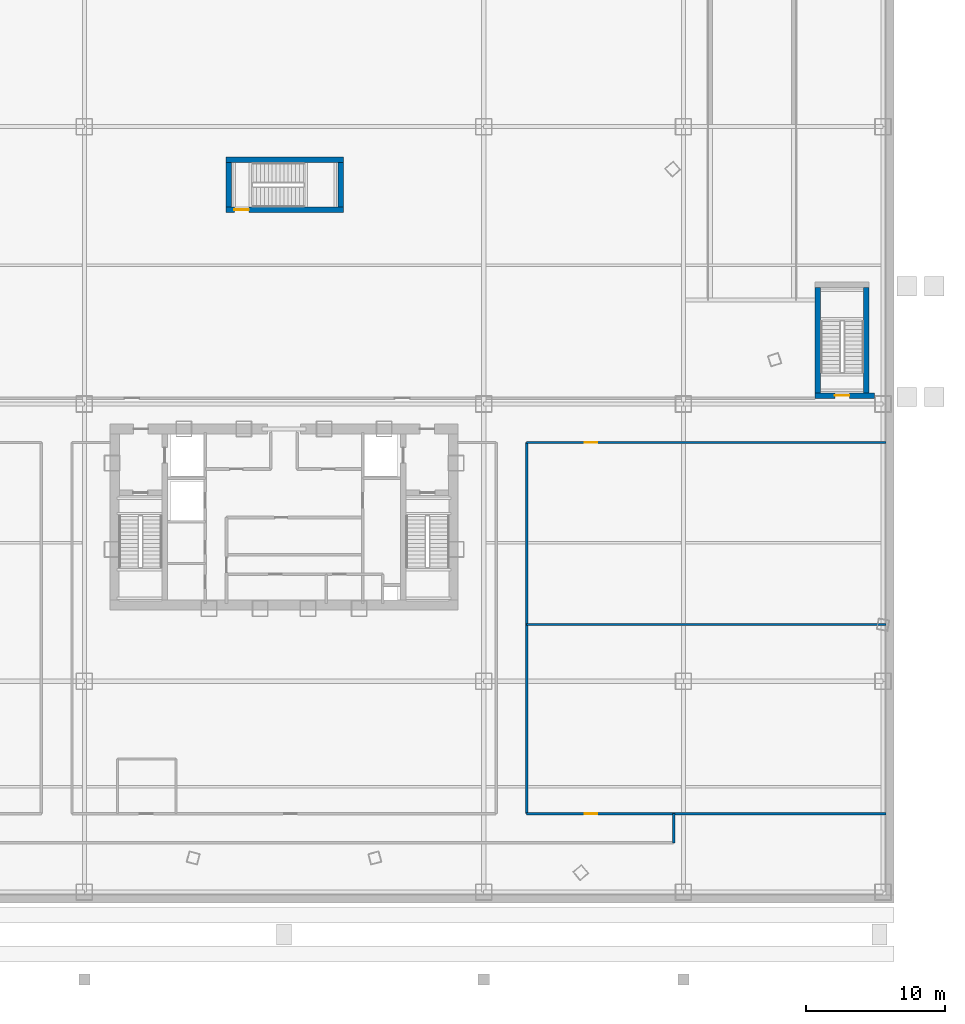
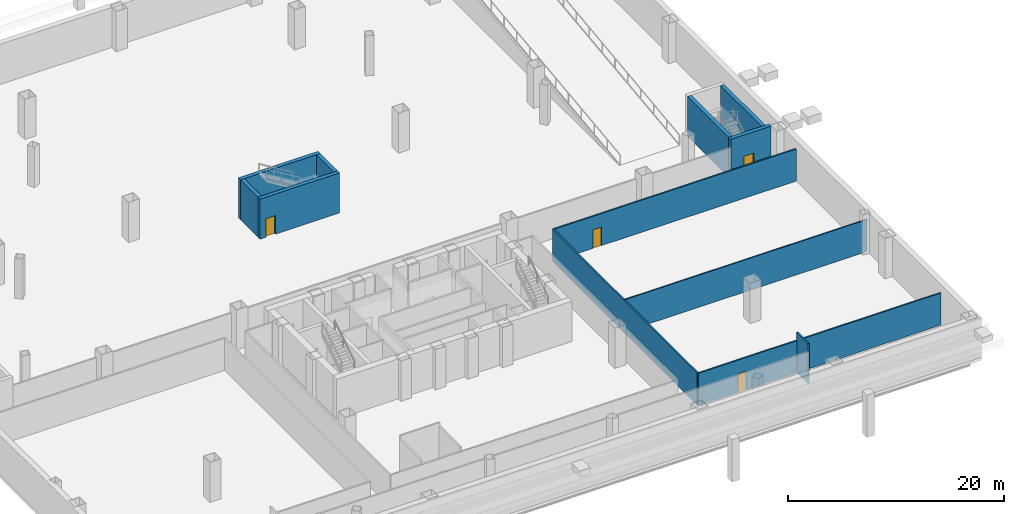
# One storey, part 11 of 16: 12 walls, 4 doors, 4 openings.
"""IFC4 building model written with IfcOpenShell, lengths in metres."""

import ifcopenshell
import ifcopenshell.guid

model = None  # the IFC model being written
_history = None  # IfcOwnerHistory: only IFC2X3 demands one
_inside = {}  # id of a spatial element -> (the spatial element, [elements in it])
_under = {}  # id of a project, library or spatial element -> (it, [spatial elements below it])
_declared = {}  # id of a project -> (the project, [libraries it declares])
_typed = {}  # id of a type object -> (the type object, [elements of that type])
_made_of = {}  # id of a material, layer set ... -> (it, [elements and type objects made of it])


def new_model(schema):
    """Start an empty IFC model of exactly this schema.

    Asked for "IFC4X3", IfcOpenShell would pick the latest addendum, in which some entities
    have other attributes; the version numbers below select the first issue.
    IFC2X3 requires an IfcOwnerHistory on every rooted entity: one is made here for all.
    """
    global model, _history
    if schema == "IFC4X3":
        model = ifcopenshell.file(schema_version=(4, 3, 0, 0))
    else:
        model = ifcopenshell.file(schema=schema)
    _inside.clear()
    _under.clear()
    _declared.clear()
    _typed.clear()
    _made_of.clear()
    _history = None
    if model.schema == "IFC2X3":
        org = make("IfcOrganization", Name="unknown")
        user = make(
            "IfcPersonAndOrganization",
            ThePerson=make("IfcPerson", FamilyName="unknown"),
            TheOrganization=org,
        )
        app = make(
            "IfcApplication",
            ApplicationDeveloper=org,
            Version="unknown",
            ApplicationFullName="unknown",
            ApplicationIdentifier="unknown",
        )
        _history = make(
            "IfcOwnerHistory",
            OwningUser=user,
            OwningApplication=app,
            ChangeAction="ADDED",
            CreationDate=0,
        )
    return model


def make(cls, **values):
    """One entity of the class cls with the attributes given. An attribute that is None is left unset."""
    return model.create_entity(
        cls, **{name: value for name, value in values.items() if value is not None}
    )


def rooted(cls, **values):
    """An entity with a GlobalId (a new one), such as an element, a storey or a relation."""
    return make(cls, GlobalId=ifcopenshell.guid.new(), OwnerHistory=_history, **values)


def si_unit(unit_type, name, prefix=None):
    """IfcSIUnit, for example si_unit("LENGTHUNIT", "METRE", prefix="MILLI")."""
    return make("IfcSIUnit", UnitType=unit_type, Prefix=prefix, Name=name)


def assignment(units):
    """IfcUnitAssignment: the units of a project."""
    return None if units is None else make("IfcUnitAssignment", Units=units)


def point(xyz):
    """IfcCartesianPoint."""
    return None if xyz is None else make("IfcCartesianPoint", Coordinates=xyz)


def direction(xyz):
    """IfcDirection."""
    return None if xyz is None else make("IfcDirection", DirectionRatios=xyz)


def frame(location, z_axis=None, x_axis=None):
    """IfcAxis2Placement3D, a coordinate frame: its origin and axes. An axis left out is left unset."""
    return make(
        "IfcAxis2Placement3D",
        Location=point(location),
        Axis=direction(z_axis),
        RefDirection=direction(x_axis),
    )


def frame_2d(location, x_axis=None):
    """IfcAxis2Placement2D, a coordinate frame in the plane: its origin and x axis."""
    return make(
        "IfcAxis2Placement2D", Location=point(location), RefDirection=direction(x_axis)
    )


def origin():
    """The frame at (0, 0, 0) with its axes left unset."""
    return frame((0.0, 0.0, 0.0))


def origin_with_axes():
    """The frame at (0, 0, 0) with the z axis (0, 0, 1) and the x axis (1, 0, 0) written out."""
    return frame((0.0, 0.0, 0.0), z_axis=(0.0, 0.0, 1.0), x_axis=(1.0, 0.0, 0.0))


def place(relative_to, where):
    """IfcLocalPlacement: puts the frame where relative to a parent placement (None: the world)."""
    return make(
        "IfcLocalPlacement", PlacementRelTo=relative_to, RelativePlacement=where
    )


def context(
    kind, dimensions, precision=None, world=None, true_north=None, identifier=None
):
    """IfcGeometricRepresentationContext, for example the 3D "Model" context."""
    return make(
        "IfcGeometricRepresentationContext",
        ContextIdentifier=identifier,
        ContextType=kind,
        CoordinateSpaceDimension=dimensions,
        Precision=precision,
        WorldCoordinateSystem=world,
        TrueNorth=true_north,
    )


def subcontext(parent, identifier, kind, view, scale=None):
    """IfcGeometricRepresentationSubContext, for example "Body" below "Model"."""
    return make(
        "IfcGeometricRepresentationSubContext",
        ContextIdentifier=identifier,
        ContextType=kind,
        ParentContext=parent,
        TargetScale=scale,
        TargetView=view,
    )


def project(units=None, contexts=None):
    """IfcProject with its units and contexts."""
    return rooted(
        "IfcProject",
        Name="project",
        RepresentationContexts=contexts,
        UnitsInContext=assignment(units),
    )


def spatial(cls, under=None, at=None, **own):
    """A site, building, storey or space (cls), placed at a placement, below another one or the project."""
    s = rooted(cls, ObjectPlacement=at, **own)
    if under is not None:
        _under.setdefault(under.id(), (under, []))[1].append(s)
    return s


def profile(cls, at=None, kind="AREA", **sizes):
    """A parametric profile (cls). Its sizes go by their IFC names, for example OverallWidth=200.0."""
    return make(cls, ProfileType=kind, Position=at, **sizes)


def rectangle(**sizes):
    """IfcRectangleProfileDef."""
    return profile("IfcRectangleProfileDef", **sizes)


def extrude(swept, where, along, depth):
    """IfcExtrudedAreaSolid: the profile swept, set in the frame where, extruded along a direction by depth."""
    return make(
        "IfcExtrudedAreaSolid",
        SweptArea=swept,
        Position=where,
        ExtrudedDirection=direction(along),
        Depth=depth,
    )


def shape(context_of_items, identifier, shape_type, items):
    """IfcShapeRepresentation: the items that make up one representation, for example the "Body"."""
    return make(
        "IfcShapeRepresentation",
        ContextOfItems=context_of_items,
        RepresentationIdentifier=identifier,
        RepresentationType=shape_type,
        Items=items,
    )


def source(mapping_origin, context_of_items, identifier, shape_type, items):
    """IfcRepresentationMap: a shape defined once, which mapped items show again and again."""
    return make(
        "IfcRepresentationMap",
        MappingOrigin=mapping_origin,
        MappedRepresentation=shape(context_of_items, identifier, shape_type, items),
    )


def transform(
    local_origin,
    x_axis=None,
    y_axis=None,
    z_axis=None,
    scale=None,
    scale2=None,
    scale3=None,
    uniform=True,
):
    """IfcCartesianTransformationOperator3D, or its non-uniform kind. x_axis, y_axis, z_axis: its Axis1, 2, 3."""
    if uniform:
        return make(
            "IfcCartesianTransformationOperator3D",
            Axis1=direction(x_axis),
            Axis2=direction(y_axis),
            LocalOrigin=point(local_origin),
            Scale=scale,
            Axis3=direction(z_axis),
        )
    return make(
        "IfcCartesianTransformationOperator3DnonUniform",
        Axis1=direction(x_axis),
        Axis2=direction(y_axis),
        LocalOrigin=point(local_origin),
        Scale=scale,
        Axis3=direction(z_axis),
        Scale2=scale2,
        Scale3=scale3,
    )


def mapped(mapping_source, mapping_target):
    """IfcMappedItem: shows the shape of a source again, moved by a transform."""
    return make(
        "IfcMappedItem", MappingSource=mapping_source, MappingTarget=mapping_target
    )


def material(Name=None, Category=None):
    """IfcMaterial."""
    return make("IfcMaterial", Name=Name, Category=Category)


def layer(
    of_material, thickness, ventilated=None, Name=None, Category=None, Priority=None
):
    """IfcMaterialLayer: one layer of a wall or slab, of a material (None: an air gap)."""
    return make(
        "IfcMaterialLayer",
        Material=of_material,
        LayerThickness=thickness,
        IsVentilated=ventilated,
        Name=Name,
        Category=Category,
        Priority=Priority,
    )


def layer_set(layers, Name=None):
    """IfcMaterialLayerSet."""
    return make("IfcMaterialLayerSet", MaterialLayers=layers, LayerSetName=Name)


def made_of(thing, what):
    """Note that an element or type object is made of a material, layer set ...; save() writes the relation."""
    if what is not None:
        _made_of.setdefault(what.id(), (what, []))[1].append(thing)
    return thing


def type_object(cls, material=None, **own):
    """A type object (cls), such as IfcWallType, which elements share."""
    return made_of(rooted(cls, **own), material)


def element(
    cls,
    number,
    at=None,
    inside=None,
    cuts=None,
    type_object=None,
    material=None,
    context=None,
    identifier="Body",
    shape_type=None,
    held_by="IfcProductDefinitionShape",
    body=None,
    shapes=None,
    **own,
):
    """One element of the class cls, such as IfcWall. Its Tag is "e" and its number.

    at: its placement. inside: the storey or other place that contains it. cuts: it is an
    opening in that element (IfcRelVoidsElement). A single representation is given by context,
    identifier, shape_type and body (its items); several are given by shapes. held_by: the class
    of the entity that holds the representations. save() writes the other relations.
    """
    e = rooted(cls, Tag="e%d" % number, ObjectPlacement=at, **own)
    if body is not None:
        shapes = [shape(context, identifier, shape_type, body)]
    if shapes is not None:
        e.Representation = make(held_by, Representations=shapes)
    if inside is not None:
        _inside.setdefault(inside.id(), (inside, []))[1].append(e)
    if cuts is not None:
        rooted(
            "IfcRelVoidsElement", RelatingBuildingElement=cuts, RelatedOpeningElement=e
        )
    if type_object is not None:
        _typed.setdefault(type_object.id(), (type_object, []))[1].append(e)
    return made_of(e, material)


def fill(opening, filler):
    """IfcRelFillsElement: the door or window that sits in an opening."""
    return rooted(
        "IfcRelFillsElement",
        RelatingOpeningElement=opening,
        RelatedBuildingElement=filler,
    )


def aggregate(whole, parts):
    """IfcRelAggregates: a whole, such as a stair, and the parts it consists of."""
    return rooted("IfcRelAggregates", RelatingObject=whole, RelatedObjects=parts)


def save(model, path):
    """Write the relations noted so far, then the file.

    IfcRelAggregates (storeys below a building ...), IfcRelContainedInSpatialStructure (elements
    in a storey), IfcRelDefinesByType, IfcRelAssociatesMaterial and IfcRelDeclares: one each for
    every whole, place, type object, material and project.
    """
    for whole, parts in _under.values():
        aggregate(whole, parts)
    for where, things in _inside.values():
        rooted(
            "IfcRelContainedInSpatialStructure",
            RelatedElements=things,
            RelatingStructure=where,
        )
    for kind, things in _typed.values():
        rooted("IfcRelDefinesByType", RelatedObjects=things, RelatingType=kind)
    for what, things in _made_of.values():
        rooted("IfcRelAssociatesMaterial", RelatedObjects=things, RelatingMaterial=what)
    for by, libraries in _declared.values():
        rooted("IfcRelDeclares", RelatingContext=by, RelatedDefinitions=libraries)
    model.write(path)


model = new_model("IFC4")

# Units and contexts
model_context = context("Model", 3, precision=1e-05, world=origin(), true_north=direction((0.0, 1.0)))
body_context = subcontext(model_context, "Body", "Model", "MODEL_VIEW")
ifc_project = project(units=[si_unit("LENGTHUNIT", "METRE"), si_unit("AREAUNIT", "SQUARE_METRE"), si_unit("VOLUMEUNIT", "CUBIC_METRE"), si_unit("PLANEANGLEUNIT", "RADIAN"), si_unit("MASSUNIT", "GRAM", prefix="KILO"), si_unit("THERMODYNAMICTEMPERATUREUNIT", "KELVIN"), si_unit("POWERUNIT", "WATT")], contexts=[model_context])

# Site, building, storey
site_placement = place(None, origin())
site = spatial("IfcSite", under=ifc_project, at=site_placement, CompositionType="ELEMENT")
building_placement = place(site_placement, origin())
building = spatial("IfcBuilding", under=site, at=building_placement, Name="Yunzhuo Pagoda Commons", CompositionType="ELEMENT")
storey_placement = place(building_placement, frame((0.0, 0.0, -4.800048828125)))
storey = spatial("IfcBuildingStorey", under=building, at=storey_placement, Name="B01", CompositionType="ELEMENT", Elevation=-4.800048828125)

# Wall, opening, door
ifc_material_1 = material(Name="Gypsum plasterboard on acoustic stud")
ifc_layer_1 = layer(ifc_material_1, 0.159912109375)
ifc_layer_set_1 = layer_set([ifc_layer_1], Name="Gypsum plasterboard on acoustic stud")
wall_type_1 = type_object("IfcWallType", Name="W-COR1 Tower Rated Corridor Wall 160", PredefinedType="PARTITIONING", material=ifc_layer_set_1)
wall_1_placement = place(storey_placement, frame((65.5, 39.219970703125, 0.0), z_axis=(0.0, 0.0, 1.0), x_axis=(1.0, 0.0, 0.0)))
wall_1 = element("IfcWall", 1, at=wall_1_placement, inside=storey, type_object=wall_type_1, Name="B01 interior wall IW-B01-TMDFN", PredefinedType="PARTITIONING", context=body_context, shape_type="SweptSolid", body=[
    extrude(rectangle(XDim=25.89990234375, YDim=0.159912109375, at=frame_2d((12.949951171875, 0.0))), origin(), (0.0, 0.0, 1.0), 3.6201171875),
])
opening_1_placement = place(wall_1_placement, frame((4.199951171875, 0.0, 0.0)))
opening_1 = element("IfcOpeningElement", 2, at=opening_1_placement, cuts=wall_1, Name="Opening D-03", PredefinedType="OPENING", context=body_context, shape_type="SweptSolid", body=[
    extrude(rectangle(XDim=0.89990234375, YDim=2.10009765625, at=frame_2d((0.449951171875, 1.050048828125))), frame((0.0, 0.08984375, 0.0), z_axis=(0.0, -1.0, 0.0), x_axis=(1.0, 0.0, 0.0)), (0.0, 0.0, 1.0), 0.179931640625),
])
ifc_material_2 = material(Name="Galvanized fire-resisting metal leaf")
door_type_1 = type_object("IfcDoorType", Name="D-03 Core Service Fire Door 900x2100", OperationType="NOTDEFINED", PredefinedType="DOOR", material=ifc_material_2)
shared_shape_1 = source(origin(), body_context, "Body", "SweptSolid", [
    extrude(rectangle(XDim=0.89990234375, YDim=2.10009765625, at=frame_2d((0.449951171875, 1.050048828125))), frame((0.0, 0.02490234375, 0.0), z_axis=(0.0, -1.0, 0.0), x_axis=(1.0, 0.0, 0.0)), (0.0, 0.0, 1.0), 0.050048828125),
])
door_1_placement = place(opening_1_placement, frame((0.89990234375, 0.0, 0.0), z_axis=(0.0, 0.0, 1.0), x_axis=(-1.0, 0.0, 0.0)))
door_1 = element("IfcDoor", 3, at=door_1_placement, inside=storey, type_object=door_type_1, Name="B01 Telecom MDF Room door", OperationType="SINGLE_SWING_RIGHT", OverallHeight=2.10009765625, OverallWidth=0.89990234375, PredefinedType="DOOR", context=body_context, shape_type="MappedRepresentation", body=[
    mapped(shared_shape_1, transform((0.0, 0.0, 0.0), scale=1.0)),
])
fill(opening_1, door_1)

wall_2_placement = place(storey_placement, frame((65.5, 12.449951171875, 0.0), z_axis=(0.0, 0.0, 1.0), x_axis=(1.0, 0.0, 0.0)))
wall_2 = element("IfcWall", 4, at=wall_2_placement, inside=storey, type_object=wall_type_1, Name="B01 interior wall IW-B01-REFSS", PredefinedType="PARTITIONING", context=body_context, shape_type="SweptSolid", body=[
    extrude(rectangle(XDim=25.89990234375, YDim=0.159912109375, at=frame_2d((12.949951171875, 0.0))), origin(), (0.0, 0.0, 1.0), 3.6201171875),
])
opening_2_placement = place(wall_2_placement, frame((4.199951171875, 0.0, 0.0)))
opening_2 = element("IfcOpeningElement", 5, at=opening_2_placement, cuts=wall_2, Name="Opening D-03", PredefinedType="OPENING", context=body_context, shape_type="SweptSolid", body=[
    extrude(rectangle(XDim=0.89990234375, YDim=2.10009765625, at=frame_2d((0.449951171875, 1.050048828125))), frame((0.0, 0.08984375, 0.0), z_axis=(0.0, -1.0, 0.0), x_axis=(1.0, 0.0, 0.0)), (0.0, 0.0, 1.0), 0.179931640625),
])
door_2_placement = place(opening_2_placement, origin_with_axes())
door_2 = element("IfcDoor", 6, at=door_2_placement, inside=storey, type_object=door_type_1, Name="B01 Refuse Store door", OperationType="SINGLE_SWING_LEFT", OverallHeight=2.10009765625, OverallWidth=0.89990234375, PredefinedType="DOOR", context=body_context, shape_type="MappedRepresentation", body=[
    mapped(shared_shape_1, transform((0.0, 0.0, 0.0), scale=1.0)),
])
fill(opening_2, door_2)

# Walls
wall_3_placement = place(storey_placement, frame((65.5, 12.449951171875, 0.0), z_axis=(0.0, 0.0, 1.0), x_axis=(0.0, 1.0, 0.0)))
element("IfcWall", 7, at=wall_3_placement, inside=storey, type_object=wall_type_1, Name="B01 interior wall IW-B01-REFSW", PredefinedType="PARTITIONING", context=body_context, shape_type="SweptSolid", body=[
    extrude(rectangle(XDim=26.77001953125, YDim=0.159912109375, at=frame_2d((13.385009765625, 0.0))), origin(), (0.0, 0.0, 1.0), 3.6201171875),
])
wall_4_placement = place(storey_placement, frame((76.10009765625, 10.35009765625, 0.0), z_axis=(0.0, 0.0, 1.0), x_axis=(0.0, 1.0, 0.0)))
element("IfcWall", 8, at=wall_4_placement, inside=storey, type_object=wall_type_1, Name="B01 interior wall IW-B01-SCORE", PredefinedType="PARTITIONING", context=body_context, shape_type="SweptSolid", body=[
    extrude(rectangle(XDim=2.099853515625, YDim=0.159912109375, at=frame_2d((1.0498046875, 0.0))), origin(), (0.0, 0.0, 1.0), 4.52001953125),
])
ifc_layer_2 = layer(ifc_material_1, 0.1201171875)
ifc_layer_set_2 = layer_set([ifc_layer_2], Name="Gypsum plasterboard on acoustic stud")
wall_type_2 = type_object("IfcWallType", Name="W-PRT1 Suite & Bathroom Partition 120", PredefinedType="PARTITIONING", material=ifc_layer_set_2)
wall_5_placement = place(storey_placement, frame((65.5, 26.10009765625, 0.0), z_axis=(0.0, 0.0, 1.0), x_axis=(1.0, 0.0, 0.0)))
element("IfcWall", 9, at=wall_5_placement, inside=storey, type_object=wall_type_2, Name="B01 interior wall IW-B01-RFDIV", PredefinedType="PARTITIONING", context=body_context, shape_type="SweptSolid", body=[
    extrude(rectangle(XDim=25.89990234375, YDim=0.1201171875, at=frame_2d((12.949951171875, 0.0))), origin(), (0.0, 0.0, 1.0), 3.6201171875),
])

# Wall, opening, door
ifc_material_3 = material(Name="Concrete C60", Category="concrete")
ifc_layer_3 = layer(ifc_material_3, 0.39990234375)
ifc_layer_set_3 = layer_set([ifc_layer_3], Name="Concrete C60")
wall_type_3 = type_object("IfcWallType", Name="W-S01 Internal Core Shear Web 400", PredefinedType="SHEAR", material=ifc_layer_set_3)
wall_6_placement = place(storey_placement, frame((86.300048828125, 42.60009765625, 0.0), z_axis=(0.0, 0.0, 1.0), x_axis=(1.0, 0.0, 0.0)))
wall_6 = element("IfcWall", 10, at=wall_6_placement, inside=storey, type_object=wall_type_3, Name="B01 PS4 structural stair wall S", PredefinedType="SHEAR", context=body_context, shape_type="SweptSolid", body=[
    extrude(rectangle(XDim=4.300048828125, YDim=0.39990234375, at=frame_2d((2.14990234375, 0.0))), origin(), (0.0, 0.0, 1.0), 4.52001953125),
])
opening_3_placement = place(wall_6_placement, frame((1.419921875, 0.0, 0.0)))
opening_3 = element("IfcOpeningElement", 11, at=opening_3_placement, cuts=wall_6, Name="Opening D-01", PredefinedType="OPENING", context=body_context, shape_type="SweptSolid", body=[
    extrude(rectangle(XDim=1.050048828125, YDim=2.10009765625, at=frame_2d((0.52490234375, 1.050048828125))), frame((0.0, 0.2099609375, 0.0), z_axis=(0.0, -1.0, 0.0), x_axis=(1.0, 0.0, 0.0)), (0.0, 0.0, 1.0), 0.419921875),
])
door_type_2 = type_object("IfcDoorType", Name="D-01 Smokeproof Stair Fire Door 1050x2100", OperationType="NOTDEFINED", PredefinedType="DOOR", material=ifc_material_2)
shared_shape_2 = source(origin(), body_context, "Body", "SweptSolid", [
    extrude(rectangle(XDim=1.050048828125, YDim=2.10009765625, at=frame_2d((0.52490234375, 1.050048828125))), frame((0.0, 0.02490234375, 0.0), z_axis=(0.0, -1.0, 0.0), x_axis=(1.0, 0.0, 0.0)), (0.0, 0.0, 1.0), 0.050048828125),
])
door_3_placement = place(opening_3_placement, frame((1.050048828125, 0.0, 0.0), z_axis=(0.0, 0.0, 1.0), x_axis=(-1.0, 0.0, 0.0)))
door_3 = element("IfcDoor", 12, at=door_3_placement, inside=storey, type_object=door_type_2, Name="B01 PS4 stair fire door", OperationType="SINGLE_SWING_RIGHT", OverallHeight=2.10009765625, OverallWidth=1.050048828125, PredefinedType="DOOR", context=body_context, shape_type="MappedRepresentation", body=[
    mapped(shared_shape_2, transform((0.0, 0.0, 0.0), scale=1.0)),
])
fill(opening_3, door_3)

# Walls
for number, where, z_axis, x_axis, name in (
    (13, (86.5, 42.800048828125, 0.0), (0.0, 0.0, 1.0), (0.0, 1.0, 0.0), "B01 PS4 structural stair wall W"),
    (14, (90.0, 42.800048828125, 0.0), (0.0, 0.0, 1.0), (0.0, 1.0, 0.0), "B01 PS4 structural stair wall E"),
):
    element("IfcWall", number, at=place(storey_placement, frame(where, z_axis=z_axis, x_axis=x_axis)), inside=storey, type_object=wall_type_3, Name=name, PredefinedType="SHEAR", context=body_context, shape_type="SweptSolid", body=[
        extrude(rectangle(XDim=7.599853515625, YDim=0.39990234375, at=frame_2d((3.7998046875, 0.0))), origin(), (0.0, 0.0, 1.0), 4.52001953125),
    ])
wall_7_placement = place(storey_placement, frame((43.800048828125, 59.60009765625, 0.0), z_axis=(0.0, 0.0, 1.0), x_axis=(1.0, 0.0, 0.0)))
element("IfcWall", 15, at=wall_7_placement, inside=storey, type_object=wall_type_3, Name="B01 ST3 structural stair wall N", PredefinedType="SHEAR", context=body_context, shape_type="SweptSolid", body=[
    extrude(rectangle(XDim=8.5, YDim=0.39990234375, at=frame_2d((4.25, 0.0))), origin(), (0.0, 0.0, 1.0), 4.52001953125),
])

# Wall, opening, door
wall_8_placement = place(storey_placement, frame((43.800048828125, 56.0, 0.0), z_axis=(0.0, 0.0, 1.0), x_axis=(1.0, 0.0, 0.0)))
wall_8 = element("IfcWall", 16, at=wall_8_placement, inside=storey, type_object=wall_type_3, Name="B01 ST3 structural stair wall S", PredefinedType="SHEAR", context=body_context, shape_type="SweptSolid", body=[
    extrude(rectangle(XDim=8.5, YDim=0.39990234375, at=frame_2d((4.25, 0.0))), origin(), (0.0, 0.0, 1.0), 4.52001953125),
])
opening_4_placement = place(wall_8_placement, frame((0.6201171875, 0.0, 0.0)))
opening_4 = element("IfcOpeningElement", 17, at=opening_4_placement, cuts=wall_8, Name="Opening D-01", PredefinedType="OPENING", context=body_context, shape_type="SweptSolid", body=[
    extrude(rectangle(XDim=1.050048828125, YDim=2.10009765625, at=frame_2d((0.52490234375, 1.050048828125))), frame((0.0, 0.2099609375, 0.0), z_axis=(0.0, -1.0, 0.0), x_axis=(1.0, 0.0, 0.0)), (0.0, 0.0, 1.0), 0.419921875),
])
door_4_placement = place(opening_4_placement, frame((1.050048828125, 0.0, 0.0), z_axis=(0.0, 0.0, 1.0), x_axis=(-1.0, 0.0, 0.0)))
door_4 = element("IfcDoor", 18, at=door_4_placement, inside=storey, type_object=door_type_2, Name="B01 Stair ST3 fire door", OperationType="SINGLE_SWING_LEFT", OverallHeight=2.10009765625, OverallWidth=1.050048828125, PredefinedType="DOOR", context=body_context, shape_type="MappedRepresentation", body=[
    mapped(shared_shape_2, transform((0.0, 0.0, 0.0), scale=1.0)),
])
fill(opening_4, door_4)

# Walls
for number, where, z_axis, x_axis, name in (
    (19, (44.0, 56.199951171875, 0.0), (0.0, 0.0, 1.0), (0.0, 1.0, 0.0), "B01 ST3 structural stair wall W"),
    (20, (52.10009765625, 56.199951171875, 0.0), (0.0, 0.0, 1.0), (0.0, 1.0, 0.0), "B01 ST3 structural stair wall E"),
):
    element("IfcWall", number, at=place(storey_placement, frame(where, z_axis=z_axis, x_axis=x_axis)), inside=storey, type_object=wall_type_3, Name=name, PredefinedType="SHEAR", context=body_context, shape_type="SweptSolid", body=[
        extrude(rectangle(XDim=3.199951171875, YDim=0.39990234375, at=frame_2d((1.60009765625, 0.0))), origin(), (0.0, 0.0, 1.0), 4.52001953125),
    ])

save(model, "model.ifc")
